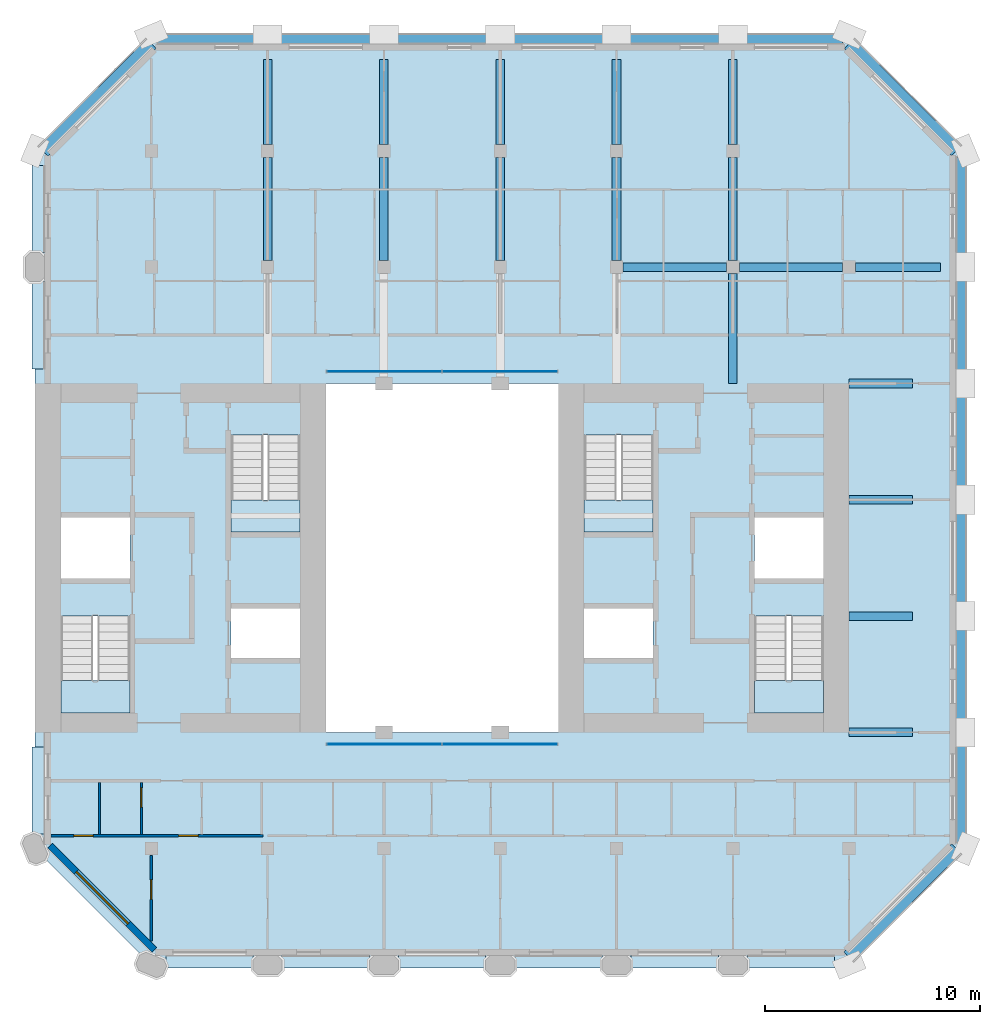
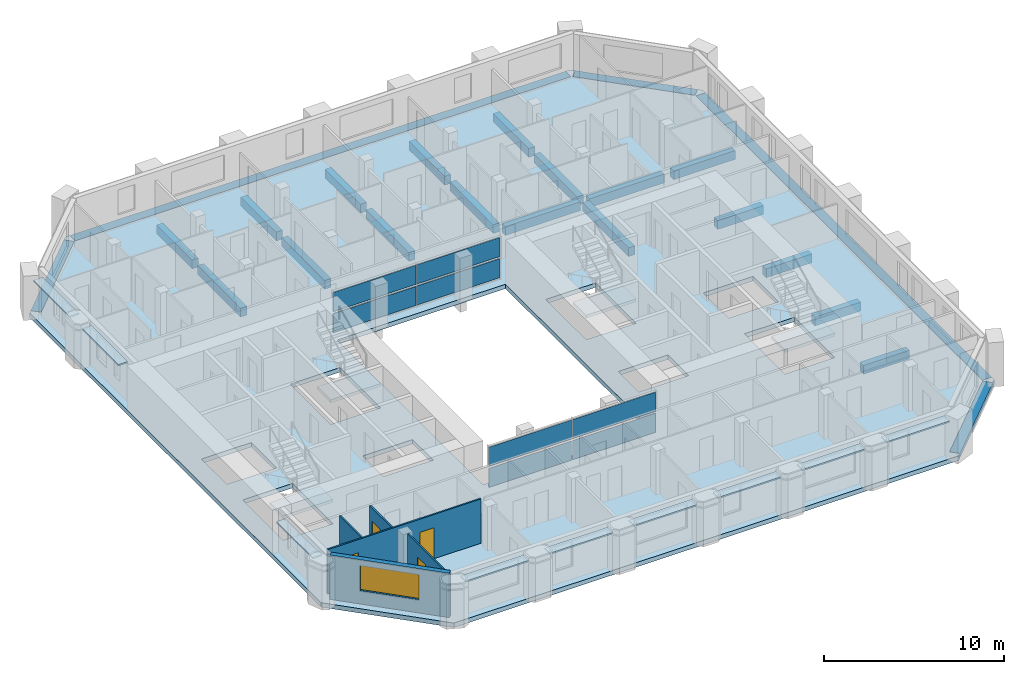
# One storey, part 3 of 13: 23 beams, 17 plates, 5 slabs, 5 walls, 4 doors, 1 window, 5 openings, 6 elements without a shape of their own.
"""IFC4 building model written with IfcOpenShell, lengths in metres."""

from ifc_helpers import new_model, si_unit, direction, frame, frame_2d, origin, origin_2d, place, context, subcontext, project, spatial, polyline, rectangle, outline, extrude, material, layer, layer_set, material_profile, profile_set, type_object, element, fill, aggregate, save


model = new_model("IFC4")

# Units and contexts
model_context = context("Model", 3, precision=1e-05, world=origin(), true_north=direction((0.0, 1.0)))
body_context = subcontext(model_context, "Body", "Model", "MODEL_VIEW")
ifc_project = project(units=[si_unit("LENGTHUNIT", "METRE"), si_unit("AREAUNIT", "SQUARE_METRE"), si_unit("VOLUMEUNIT", "CUBIC_METRE"), si_unit("PLANEANGLEUNIT", "RADIAN"), si_unit("MASSUNIT", "GRAM", prefix="KILO")], contexts=[model_context])

# Site, building, storey
site_placement = place(None, origin())
site = spatial("IfcSite", under=ifc_project, at=site_placement, CompositionType="ELEMENT")
building_placement = place(site_placement, origin())
building = spatial("IfcBuilding", under=site, at=building_placement, Name="Tabaq Tower and Sports Hall", CompositionType="ELEMENT")
storey_placement = place(building_placement, frame((0.0, 0.0, 295.0)))
storey = spatial("IfcBuildingStorey", under=building, at=storey_placement, Name="L73", CompositionType="ELEMENT", Elevation=295.0)

# Beams
ifc_material_1 = material(Name="Concrete C40/50", Category="concrete")
ifc_material_profile_1 = material_profile(ifc_material_1, rectangle(XDim=0.39990234375, YDim=0.60009765625, at=origin_2d()), Name="CB 400x600")
ifc_profile_set_1 = profile_set([ifc_material_profile_1], Name="Concrete C40/50")
beam_type_1 = type_object("IfcBeamType", Name="PT CANTILEVER BEAM CB 400x600 C40/50", PredefinedType="BEAM", material=ifc_profile_set_1)
for number, where, z_axis, x_axis, name in (
    (1, (46.14990234375, 16.199951171875, -0.60009765625), (-1.0, 0.0, 0.0), (0.0, -1.0, 0.0), "Cantilever Beam L73 E3 span 1"),
    (2, (46.14990234375, 21.60009765625, -0.60009765625), (-1.0, 0.0, 0.0), (0.0, -1.0, 0.0), "Cantilever Beam L73 E4 span 1"),
    (3, (46.14990234375, 27.0, -0.60009765625), (-1.0, 0.0, 0.0), (0.0, -1.0, 0.0), "Cantilever Beam L73 E5 span 1"),
    (4, (46.14990234375, 32.39990234375, -0.60009765625), (-1.0, 0.0, 0.0), (0.0, -1.0, 0.0), "Cantilever Beam L73 E6 span 1"),
):
    element("IfcBeam", number, at=place(storey_placement, frame(where, z_axis=z_axis, x_axis=x_axis)), inside=storey, type_object=beam_type_1, Name=name, PredefinedType="BEAM", context=body_context, shape_type="SweptSolid", body=[
        extrude(rectangle(XDim=0.39990234375, YDim=0.60009765625, at=origin_2d()), origin(), (0.0, 0.0, 1.0), 2.949951171875),
    ])
beam_1_placement = place(storey_placement, frame((47.449951171875, 37.800048828125, -0.60009765625), z_axis=(-1.0, 0.0, 0.0), x_axis=(0.0, -1.0, 0.0)))
element("IfcBeam", 5, at=beam_1_placement, inside=storey, type_object=beam_type_1, Name="Cantilever Beam L73 E7 span 1", PredefinedType="BEAM", context=body_context, shape_type="SweptSolid", body=[
    extrude(rectangle(XDim=0.39990234375, YDim=0.60009765625, at=origin_2d()), origin(), (0.0, 0.0, 1.0), 3.949951171875),
])
beam_2_placement = place(storey_placement, frame((42.89990234375, 37.800048828125, -0.60009765625), z_axis=(-1.0, 0.0, 0.0), x_axis=(0.0, -1.0, 0.0)))
element("IfcBeam", 6, at=beam_2_placement, inside=storey, type_object=beam_type_1, Name="Cantilever Beam L73 E7 span 2", PredefinedType="BEAM", context=body_context, shape_type="SweptSolid", body=[
    extrude(rectangle(XDim=0.39990234375, YDim=0.60009765625, at=origin_2d()), origin(), (0.0, 0.0, 1.0), 4.7998046875),
])
beam_3_placement = place(storey_placement, frame((37.5, 37.800048828125, -0.60009765625), z_axis=(-1.0, 0.0, 0.0), x_axis=(0.0, -1.0, 0.0)))
element("IfcBeam", 7, at=beam_3_placement, inside=storey, type_object=beam_type_1, Name="Cantilever Beam L73 E7 span 3", PredefinedType="BEAM", context=body_context, shape_type="SweptSolid", body=[
    extrude(rectangle(XDim=0.39990234375, YDim=0.60009765625, at=origin_2d()), origin(), (0.0, 0.0, 1.0), 4.800048828125),
])
beam_4_placement = place(storey_placement, frame((16.199951171875, 47.449951171875, -0.60009765625), z_axis=(0.0, -1.0, 0.0), x_axis=(1.0, 0.0, 0.0)))
element("IfcBeam", 8, at=beam_4_placement, inside=storey, type_object=beam_type_1, Name="Cantilever Beam L73 N3 span 1", PredefinedType="BEAM", context=body_context, shape_type="SweptSolid", body=[
    extrude(rectangle(XDim=0.39990234375, YDim=0.60009765625, at=origin_2d()), origin(), (0.0, 0.0, 1.0), 3.949951171875),
])
beam_5_placement = place(storey_placement, frame((16.199951171875, 42.89990234375, -0.60009765625), z_axis=(0.0, -1.0, 0.0), x_axis=(1.0, 0.0, 0.0)))
element("IfcBeam", 9, at=beam_5_placement, inside=storey, type_object=beam_type_1, Name="Cantilever Beam L73 N3 span 2", PredefinedType="BEAM", context=body_context, shape_type="SweptSolid", body=[
    extrude(rectangle(XDim=0.39990234375, YDim=0.60009765625, at=origin_2d()), origin(), (0.0, 0.0, 1.0), 4.7998046875),
])
beam_6_placement = place(storey_placement, frame((21.60009765625, 47.449951171875, -0.60009765625), z_axis=(0.0, -1.0, 0.0), x_axis=(1.0, 0.0, 0.0)))
element("IfcBeam", 10, at=beam_6_placement, inside=storey, type_object=beam_type_1, Name="Cantilever Beam L73 N4 span 1", PredefinedType="BEAM", context=body_context, shape_type="SweptSolid", body=[
    extrude(rectangle(XDim=0.39990234375, YDim=0.60009765625, at=origin_2d()), origin(), (0.0, 0.0, 1.0), 3.949951171875),
])
beam_7_placement = place(storey_placement, frame((21.60009765625, 42.89990234375, -0.60009765625), z_axis=(0.0, -1.0, 0.0), x_axis=(1.0, 0.0, 0.0)))
element("IfcBeam", 11, at=beam_7_placement, inside=storey, type_object=beam_type_1, Name="Cantilever Beam L73 N4 span 2", PredefinedType="BEAM", context=body_context, shape_type="SweptSolid", body=[
    extrude(rectangle(XDim=0.39990234375, YDim=0.60009765625, at=origin_2d()), origin(), (0.0, 0.0, 1.0), 4.7998046875),
])
beam_8_placement = place(storey_placement, frame((27.0, 47.449951171875, -0.60009765625), z_axis=(0.0, -1.0, 0.0), x_axis=(1.0, 0.0, 0.0)))
element("IfcBeam", 12, at=beam_8_placement, inside=storey, type_object=beam_type_1, Name="Cantilever Beam L73 N5 span 1", PredefinedType="BEAM", context=body_context, shape_type="SweptSolid", body=[
    extrude(rectangle(XDim=0.39990234375, YDim=0.60009765625, at=origin_2d()), origin(), (0.0, 0.0, 1.0), 3.949951171875),
])
beam_9_placement = place(storey_placement, frame((27.0, 42.89990234375, -0.60009765625), z_axis=(0.0, -1.0, 0.0), x_axis=(1.0, 0.0, 0.0)))
element("IfcBeam", 13, at=beam_9_placement, inside=storey, type_object=beam_type_1, Name="Cantilever Beam L73 N5 span 2", PredefinedType="BEAM", context=body_context, shape_type="SweptSolid", body=[
    extrude(rectangle(XDim=0.39990234375, YDim=0.60009765625, at=origin_2d()), origin(), (0.0, 0.0, 1.0), 4.7998046875),
])
beam_10_placement = place(storey_placement, frame((32.39990234375, 47.449951171875, -0.60009765625), z_axis=(0.0, -1.0, 0.0), x_axis=(1.0, 0.0, 0.0)))
element("IfcBeam", 14, at=beam_10_placement, inside=storey, type_object=beam_type_1, Name="Cantilever Beam L73 N6 span 1", PredefinedType="BEAM", context=body_context, shape_type="SweptSolid", body=[
    extrude(rectangle(XDim=0.39990234375, YDim=0.60009765625, at=origin_2d()), origin(), (0.0, 0.0, 1.0), 3.949951171875),
])
beam_11_placement = place(storey_placement, frame((32.39990234375, 42.89990234375, -0.60009765625), z_axis=(0.0, -1.0, 0.0), x_axis=(1.0, 0.0, 0.0)))
element("IfcBeam", 15, at=beam_11_placement, inside=storey, type_object=beam_type_1, Name="Cantilever Beam L73 N6 span 2", PredefinedType="BEAM", context=body_context, shape_type="SweptSolid", body=[
    extrude(rectangle(XDim=0.39990234375, YDim=0.60009765625, at=origin_2d()), origin(), (0.0, 0.0, 1.0), 4.7998046875),
])
beam_12_placement = place(storey_placement, frame((37.800048828125, 47.449951171875, -0.60009765625), z_axis=(0.0, -1.0, 0.0), x_axis=(1.0, 0.0, 0.0)))
element("IfcBeam", 16, at=beam_12_placement, inside=storey, type_object=beam_type_1, Name="Cantilever Beam L73 N7 span 1", PredefinedType="BEAM", context=body_context, shape_type="SweptSolid", body=[
    extrude(rectangle(XDim=0.39990234375, YDim=0.60009765625, at=origin_2d()), origin(), (0.0, 0.0, 1.0), 3.949951171875),
])
beam_13_placement = place(storey_placement, frame((37.800048828125, 42.89990234375, -0.60009765625), z_axis=(0.0, -1.0, 0.0), x_axis=(1.0, 0.0, 0.0)))
element("IfcBeam", 17, at=beam_13_placement, inside=storey, type_object=beam_type_1, Name="Cantilever Beam L73 N7 span 2", PredefinedType="BEAM", context=body_context, shape_type="SweptSolid", body=[
    extrude(rectangle(XDim=0.39990234375, YDim=0.60009765625, at=origin_2d()), origin(), (0.0, 0.0, 1.0), 4.7998046875),
])
beam_14_placement = place(storey_placement, frame((37.800048828125, 37.5, -0.60009765625), z_axis=(0.0, -1.0, 0.0), x_axis=(1.0, 0.0, 0.0)))
element("IfcBeam", 18, at=beam_14_placement, inside=storey, type_object=beam_type_1, Name="Cantilever Beam L73 N7 span 3", PredefinedType="BEAM", context=body_context, shape_type="SweptSolid", body=[
    extrude(rectangle(XDim=0.39990234375, YDim=0.60009765625, at=origin_2d()), origin(), (0.0, 0.0, 1.0), 5.10009765625),
])
ifc_material_2 = material(Name="Concrete C40/50", Category="concrete")
ifc_material_profile_2 = material_profile(ifc_material_2, rectangle(XDim=0.60009765625, YDim=0.300048828125, at=origin_2d()), Name="EB 600x300")
ifc_profile_set_2 = profile_set([ifc_material_profile_2], Name="Concrete C40/50")
beam_type_2 = type_object("IfcBeamType", Name="PT EDGE BEAM EB 600x300 C40/50", PredefinedType="SPANDREL", material=ifc_profile_set_2)
beam_15_placement = place(storey_placement, frame((43.16455078125, 5.788818359375, -0.14990234375), z_axis=(0.707106781187, 0.707106781187, 0.0), x_axis=(-0.707106781187, 0.707106781187, 0.0)))
element("IfcBeam", 19, at=beam_15_placement, inside=storey, type_object=beam_type_2, Name="Edge Beam L73 1", PredefinedType="SPANDREL", context=body_context, shape_type="SweptSolid", body=[
    extrude(rectangle(XDim=0.60009765625, YDim=0.300048828125, at=origin_2d()), origin(), (0.0, 0.0, 1.0), 7.08837890625),
])
beam_16_placement = place(storey_placement, frame((48.300048828125, 11.0986328125, -0.14990234375), z_axis=(0.0, 1.0, 0.0), x_axis=(-1.0, 0.0, 0.0)))
element("IfcBeam", 20, at=beam_16_placement, inside=storey, type_object=beam_type_2, Name="Edge Beam L73 2", PredefinedType="SPANDREL", context=body_context, shape_type="SweptSolid", body=[
    extrude(rectangle(XDim=0.60009765625, YDim=0.300048828125, at=origin_2d()), origin(), (0.0, 0.0, 1.0), 31.802734375),
])
beam_17_placement = place(storey_placement, frame((48.1767578125, 43.198974609375, -0.14990234375), z_axis=(-0.707106781187, 0.707106781187, 0.0), x_axis=(-0.707106781187, -0.707106781187, 0.0)))
element("IfcBeam", 21, at=beam_17_placement, inside=storey, type_object=beam_type_2, Name="Edge Beam L73 3", PredefinedType="SPANDREL", context=body_context, shape_type="SweptSolid", body=[
    extrude(rectangle(XDim=0.60009765625, YDim=0.300048828125, at=origin_2d()), origin(), (0.0, 0.0, 1.0), 7.03955078125),
])
beam_18_placement = place(storey_placement, frame((42.9013671875, 48.300048828125, -0.14990234375), z_axis=(-1.0, 0.0, 0.0), x_axis=(0.0, -1.0, 0.0)))
element("IfcBeam", 22, at=beam_18_placement, inside=storey, type_object=beam_type_2, Name="Edge Beam L73 4", PredefinedType="SPANDREL", context=body_context, shape_type="SweptSolid", body=[
    extrude(rectangle(XDim=0.60009765625, YDim=0.300048828125, at=origin_2d()), origin(), (0.0, 0.0, 1.0), 31.802734375),
])
beam_19_placement = place(storey_placement, frame((10.801025390625, 48.1767578125, -0.14990234375), z_axis=(-0.707106781187, -0.707106781187, 0.0), x_axis=(0.707106781187, -0.707106781187, 0.0)))
element("IfcBeam", 23, at=beam_19_placement, inside=storey, type_object=beam_type_2, Name="Edge Beam L73 5", PredefinedType="SPANDREL", context=body_context, shape_type="SweptSolid", body=[
    extrude(rectangle(XDim=0.60009765625, YDim=0.300048828125, at=origin_2d()), origin(), (0.0, 0.0, 1.0), 7.08837890625),
])

# Curtain wall, plates
ifc_material_3 = material(Name="Aluminium alloy 6063-T6 framed glazing", Category="aluminium")
curtain_wall_type = type_object("IfcCurtainWallType", Name="CW1 curtain wall", PredefinedType="USERDEFINED", material=ifc_material_3)
curtain_wall_1_placement = place(storey_placement, origin())
curtain_wall_1 = element("IfcCurtainWall", 24, at=curtain_wall_1_placement, inside=storey, type_object=curtain_wall_type, Name="Atrium glazing L73 S", ObjectType="ATRIUM ENCLOSURE", PredefinedType="USERDEFINED")
ifc_material_4 = material(Name="Clear low-emissivity glass 28 mm", Category="glass")
ifc_layer_1 = layer(ifc_material_4, 0.028076171875)
ifc_layer_set_1 = layer_set([ifc_layer_1], Name="CW1 glass panel 28")
plate_type_1 = type_object("IfcPlateType", Name="CW1 glass panel 28", PredefinedType="CURTAIN_PANEL", material=ifc_layer_set_1)
plate_1_placement = place(storey_placement, frame((21.614990234375, 15.64990234375, 0.139892578125), z_axis=(0.0, 0.0, 1.0), x_axis=(1.0, 0.0, 0.0)))
plate_1 = element("IfcPlate", 25, at=plate_1_placement, type_object=plate_type_1, Name="CW1 panel 1.1", PredefinedType="CURTAIN_PANEL", context=body_context, shape_type="SweptSolid", body=[
    extrude(rectangle(XDim=5.31005859375, YDim=0.028076171875, at=origin_2d()), origin(), (0.0, 0.0, 1.0), 1.2900390625),
])
plate_2_placement = place(storey_placement, frame((21.614990234375, 15.64990234375, 1.570068359375), z_axis=(0.0, 0.0, 1.0), x_axis=(1.0, 0.0, 0.0)))
plate_2 = element("IfcPlate", 26, at=plate_2_placement, type_object=plate_type_1, Name="CW1 panel 1.2", PredefinedType="CURTAIN_PANEL", context=body_context, shape_type="SweptSolid", body=[
    extrude(rectangle(XDim=5.31005859375, YDim=0.028076171875, at=origin_2d()), origin(), (0.0, 0.0, 1.0), 1.2900390625),
])
plate_3_placement = place(storey_placement, frame((26.985107421875, 15.64990234375, 0.139892578125), z_axis=(0.0, 0.0, 1.0), x_axis=(1.0, 0.0, 0.0)))
plate_3 = element("IfcPlate", 27, at=plate_3_placement, type_object=plate_type_1, Name="CW1 panel 2.1", PredefinedType="CURTAIN_PANEL", context=body_context, shape_type="SweptSolid", body=[
    extrude(rectangle(XDim=5.31005859375, YDim=0.028076171875, at=origin_2d()), origin(), (0.0, 0.0, 1.0), 1.2900390625),
])
plate_4_placement = place(storey_placement, frame((26.985107421875, 15.64990234375, 1.570068359375), z_axis=(0.0, 0.0, 1.0), x_axis=(1.0, 0.0, 0.0)))
plate_4 = element("IfcPlate", 28, at=plate_4_placement, type_object=plate_type_1, Name="CW1 panel 2.2", PredefinedType="CURTAIN_PANEL", context=body_context, shape_type="SweptSolid", body=[
    extrude(rectangle(XDim=5.31005859375, YDim=0.028076171875, at=origin_2d()), origin(), (0.0, 0.0, 1.0), 1.2900390625),
])
aggregate(curtain_wall_1, [plate_1, plate_2, plate_3, plate_4])

curtain_wall_2_placement = place(storey_placement, origin())
curtain_wall_2 = element("IfcCurtainWall", 29, at=curtain_wall_2_placement, inside=storey, type_object=curtain_wall_type, Name="Atrium glazing L73 N", ObjectType="ATRIUM ENCLOSURE", PredefinedType="USERDEFINED")
plate_5_placement = place(storey_placement, frame((21.614990234375, 32.949951171875, 0.139892578125), z_axis=(0.0, 0.0, 1.0), x_axis=(1.0, 0.0, 0.0)))
plate_5 = element("IfcPlate", 30, at=plate_5_placement, type_object=plate_type_1, Name="CW1 panel 1.1", PredefinedType="CURTAIN_PANEL", context=body_context, shape_type="SweptSolid", body=[
    extrude(rectangle(XDim=5.31005859375, YDim=0.028076171875, at=origin_2d()), origin(), (0.0, 0.0, 1.0), 1.2900390625),
])
plate_6_placement = place(storey_placement, frame((21.614990234375, 32.949951171875, 1.570068359375), z_axis=(0.0, 0.0, 1.0), x_axis=(1.0, 0.0, 0.0)))
plate_6 = element("IfcPlate", 31, at=plate_6_placement, type_object=plate_type_1, Name="CW1 panel 1.2", PredefinedType="CURTAIN_PANEL", context=body_context, shape_type="SweptSolid", body=[
    extrude(rectangle(XDim=5.31005859375, YDim=0.028076171875, at=origin_2d()), origin(), (0.0, 0.0, 1.0), 1.2900390625),
])
plate_7_placement = place(storey_placement, frame((26.985107421875, 32.949951171875, 0.139892578125), z_axis=(0.0, 0.0, 1.0), x_axis=(1.0, 0.0, 0.0)))
plate_7 = element("IfcPlate", 32, at=plate_7_placement, type_object=plate_type_1, Name="CW1 panel 2.1", PredefinedType="CURTAIN_PANEL", context=body_context, shape_type="SweptSolid", body=[
    extrude(rectangle(XDim=5.31005859375, YDim=0.028076171875, at=origin_2d()), origin(), (0.0, 0.0, 1.0), 1.2900390625),
])
plate_8_placement = place(storey_placement, frame((26.985107421875, 32.949951171875, 1.570068359375), z_axis=(0.0, 0.0, 1.0), x_axis=(1.0, 0.0, 0.0)))
plate_8 = element("IfcPlate", 33, at=plate_8_placement, type_object=plate_type_1, Name="CW1 panel 2.2", PredefinedType="CURTAIN_PANEL", context=body_context, shape_type="SweptSolid", body=[
    extrude(rectangle(XDim=5.31005859375, YDim=0.028076171875, at=origin_2d()), origin(), (0.0, 0.0, 1.0), 1.2900390625),
])
aggregate(curtain_wall_2, [plate_5, plate_6, plate_7, plate_8])

# Stair, slab
ifc_material_5 = material(Name="Concrete C40/50", Category="concrete")
stair_type = type_object("IfcStairType", Name="Exit stair", PredefinedType="HALF_TURN_STAIR", material=ifc_material_5)
stair_1_placement = place(storey_placement, origin())
stair_1 = element("IfcStair", 34, at=stair_1_placement, inside=storey, type_object=stair_type, Name="L73 Exit stair ST1", PredefinedType="HALF_TURN_STAIR")
ifc_material_6 = material(Name="Concrete C40/50", Category="concrete")
ifc_layer_2 = layer(ifc_material_6, 0.199951171875)
ifc_layer_set_2 = layer_set([ifc_layer_2], Name="Exit stair landing")
slab_type_1 = type_object("IfcSlabType", Name="Exit stair landing", PredefinedType="LANDING", material=ifc_layer_set_2)
slab_1_placement = place(storey_placement, frame((0.0, 0.0, 1.449951171875)))
slab_1 = element("IfcSlab", 35, at=slab_1_placement, type_object=slab_type_1, Name="ST1 landing 1", PredefinedType="LANDING", context=body_context, shape_type="SweptSolid", body=[
    extrude(outline(polyline([(6.60009765625, 18.60009765625), (6.60009765625, 17.10009765625), (9.800048828125, 17.10009765625), (9.800048828125, 18.60009765625), (6.60009765625, 18.60009765625)])), origin(), (0.0, 0.0, 1.0), 0.199951171875),
])
aggregate(stair_1, [slab_1])

stair_2_placement = place(storey_placement, origin())
stair_2 = element("IfcStair", 36, at=stair_2_placement, inside=storey, type_object=stair_type, Name="L73 Exit stair ST2", PredefinedType="HALF_TURN_STAIR")
slab_2_placement = place(storey_placement, frame((0.0, 0.0, 1.449951171875)))
slab_2 = element("IfcSlab", 37, at=slab_2_placement, type_object=slab_type_1, Name="ST2 landing 1", PredefinedType="LANDING", context=body_context, shape_type="SweptSolid", body=[
    extrude(outline(polyline([(14.5, 27.0), (14.5, 25.5), (17.699951171875, 25.5), (17.699951171875, 27.0), (14.5, 27.0)])), origin(), (0.0, 0.0, 1.0), 0.199951171875),
])
aggregate(stair_2, [slab_2])

stair_3_placement = place(storey_placement, origin())
stair_3 = element("IfcStair", 38, at=stair_3_placement, inside=storey, type_object=stair_type, Name="L73 Exit stair ST3", PredefinedType="HALF_TURN_STAIR")
slab_3_placement = place(storey_placement, frame((0.0, 0.0, 1.449951171875)))
slab_3 = element("IfcSlab", 39, at=slab_3_placement, type_object=slab_type_1, Name="ST3 landing 1", PredefinedType="LANDING", context=body_context, shape_type="SweptSolid", body=[
    extrude(outline(polyline([(38.800048828125, 18.60009765625), (38.800048828125, 17.10009765625), (42.0, 17.10009765625), (42.0, 18.60009765625), (38.800048828125, 18.60009765625)])), origin(), (0.0, 0.0, 1.0), 0.199951171875),
])
aggregate(stair_3, [slab_3])

stair_4_placement = place(storey_placement, origin())
stair_4 = element("IfcStair", 40, at=stair_4_placement, inside=storey, type_object=stair_type, Name="L73 Exit stair ST4", PredefinedType="HALF_TURN_STAIR")
slab_4_placement = place(storey_placement, frame((0.0, 0.0, 1.449951171875)))
slab_4 = element("IfcSlab", 41, at=slab_4_placement, type_object=slab_type_1, Name="ST4 landing 1", PredefinedType="LANDING", context=body_context, shape_type="SweptSolid", body=[
    extrude(outline(polyline([(30.89990234375, 27.0), (30.89990234375, 25.5), (34.10009765625, 25.5), (34.10009765625, 27.0), (30.89990234375, 27.0)])), origin(), (0.0, 0.0, 1.0), 0.199951171875),
])
aggregate(stair_4, [slab_4])

# Slab
ifc_material_7 = material(Name="Concrete C40/50", Category="concrete")
ifc_layer_3 = layer(ifc_material_7, 0.300048828125)
ifc_layer_set_3 = layer_set([ifc_layer_3], Name="PT FLOOR SLAB 300 C40/50")
slab_type_2 = type_object("IfcSlabType", Name="PT FLOOR SLAB 300 C40/50", PredefinedType="FLOOR", material=ifc_layer_set_3)
slab_5_placement = place(storey_placement, frame((0.0, 0.0, -0.300048828125)))
element("IfcSlab", 42, at=slab_5_placement, inside=storey, type_object=slab_type_2, Name="Floor Slab L73", PredefinedType="FLOOR", context=body_context, shape_type="SweptSolid", body=[
    extrude(outline(polyline([(5.39990234375, 43.199951171875), (5.39990234375, 10.800048828125), (10.800048828125, 5.39990234375), (43.199951171875, 5.39990234375), (43.376708984375, 5.57666015625), (42.952392578125, 6.0009765625), (47.964599609375, 11.01318359375), (48.035400390625, 10.9423828125), (48.388916015625, 10.5888671875), (48.60009765625, 10.800048828125), (48.60009765625, 11.0986328125), (48.10009765625, 11.0986328125), (48.0, 11.0986328125), (48.0, 42.9013671875), (48.10009765625, 42.9013671875), (48.60009765625, 42.9013671875), (48.60009765625, 43.199951171875), (48.388916015625, 43.4111328125), (48.035400390625, 43.0576171875), (47.964599609375, 42.98681640625), (42.98681640625, 47.964599609375), (43.0576171875, 48.035400390625), (43.4111328125, 48.388916015625), (43.199951171875, 48.60009765625), (42.9013671875, 48.60009765625), (42.9013671875, 48.10009765625), (42.9013671875, 48.0), (11.0986328125, 48.0), (11.0986328125, 48.10009765625), (11.0986328125, 48.60009765625), (10.800048828125, 48.60009765625), (10.5888671875, 48.388916015625), (10.9423828125, 48.035400390625), (11.01318359375, 47.964599609375), (6.0009765625, 42.952392578125), (5.57666015625, 43.376708984375), (5.39990234375, 43.199951171875)]), holes=[polyline([(6.60009765625, 21.599365234375), (9.800048828125, 21.599365234375), (9.800048828125, 17.10009765625), (6.60009765625, 17.10009765625), (6.60009765625, 21.599365234375)]), polyline([(38.800048828125, 21.599365234375), (42.0, 21.599365234375), (42.0, 17.10009765625), (38.800048828125, 17.10009765625), (38.800048828125, 21.599365234375)]), polyline([(14.5, 21.949951171875), (17.699951171875, 21.949951171875), (17.699951171875, 19.64990234375), (14.5, 19.64990234375), (14.5, 21.949951171875)]), polyline([(30.89990234375, 21.949951171875), (34.10009765625, 21.949951171875), (34.10009765625, 19.64990234375), (30.89990234375, 19.64990234375), (30.89990234375, 21.949951171875)]), polyline([(18.89990234375, 16.199951171875), (18.89990234375, 32.39990234375), (29.699951171875, 32.39990234375), (29.699951171875, 16.199951171875), (18.89990234375, 16.199951171875)]), polyline([(6.60009765625, 26.175048828125), (9.800048828125, 26.175048828125), (9.800048828125, 23.35009765625), (6.60009765625, 23.35009765625), (6.60009765625, 26.175048828125)]), polyline([(38.800048828125, 26.175048828125), (42.0, 26.175048828125), (42.0, 23.35009765625), (38.800048828125, 23.35009765625), (38.800048828125, 26.175048828125)]), polyline([(17.699951171875, 29.99951171875), (17.699951171875, 25.5), (14.5, 25.5), (14.5, 29.99951171875), (17.699951171875, 29.99951171875)]), polyline([(34.10009765625, 29.99951171875), (34.10009765625, 25.5), (30.89990234375, 25.5), (30.89990234375, 29.99951171875), (34.10009765625, 29.99951171875)])]), origin(), (0.0, 0.0, 1.0), 0.300048828125),
])

# Plates
ifc_material_8 = material(Name="White precast concrete C60/75 blade", Category="concrete")
ifc_layer_4 = layer(ifc_material_8, 0.10009765625)
ifc_layer_set_4 = layer_set([ifc_layer_4], Name="White precast concrete C60/75 sunshade 100")
plate_type_2 = type_object("IfcPlateType", Name="White precast concrete C60/75 sunshade 100", PredefinedType="USERDEFINED", material=ifc_layer_set_4)
for number, where, z_axis, x_axis, name in (
    (43, (13.5, 5.550048828125, 2.599853515625), (0.0, 0.0, 1.0), (1.0, 0.0, 0.0), "Sunshade L73 S"),
    (44, (18.89990234375, 5.550048828125, 2.599853515625), (0.0, 0.0, 1.0), (1.0, 0.0, 0.0), "Sunshade L73 S"),
    (45, (24.300048828125, 5.550048828125, 2.599853515625), (0.0, 0.0, 1.0), (1.0, 0.0, 0.0), "Sunshade L73 S"),
    (46, (29.699951171875, 5.550048828125, 2.599853515625), (0.0, 0.0, 1.0), (1.0, 0.0, 0.0), "Sunshade L73 S"),
    (47, (35.10009765625, 5.550048828125, 2.599853515625), (0.0, 0.0, 1.0), (1.0, 0.0, 0.0), "Sunshade L73 S"),
    (48, (40.5, 5.550048828125, 2.599853515625), (0.0, 0.0, 1.0), (1.0, 0.0, 0.0), "Sunshade L73 S"),
    (49, (5.550048828125, 40.5, 2.599853515625), (0.0, 0.0, 1.0), (0.0, -1.0, 0.0), "Sunshade L73 W"),
    (50, (5.550048828125, 35.10009765625, 2.599853515625), (0.0, 0.0, 1.0), (0.0, -1.0, 0.0), "Sunshade L73 W"),
    (51, (5.550048828125, 13.5, 2.599853515625), (0.0, 0.0, 1.0), (0.0, -1.0, 0.0), "Sunshade L73 W"),
):
    element("IfcPlate", number, at=place(storey_placement, frame(where, z_axis=z_axis, x_axis=x_axis)), inside=storey, type_object=plate_type_2, Name=name, ObjectType="SUNSHADE", PredefinedType="USERDEFINED", context=body_context, shape_type="SweptSolid", body=[
        extrude(rectangle(XDim=4.050048828125, YDim=0.60009765625, at=origin_2d()), origin(), (0.0, 0.0, 1.0), 0.10009765625),
    ])

# Wall, opening, door
ifc_material_9 = material(Name="Gypsum board on steel studs", Category="steel")
ifc_layer_5 = layer(ifc_material_9, 0.10009765625)
ifc_layer_set_5 = layer_set([ifc_layer_5], Name="Partition 100 Gypsum board")
wall_type_1 = type_object("IfcWallType", Name="Partition 100 Gypsum board", PredefinedType="PARTITIONING", material=ifc_layer_set_5)
wall_1_placement = place(storey_placement, frame((10.800048828125, 6.51220703125, 0.0), z_axis=(0.0, 0.0, 1.0), x_axis=(0.0, 1.0, 0.0)))
wall_1 = element("IfcWall", 52, at=wall_1_placement, inside=storey, type_object=wall_type_1, Name="Partition wall L73", PredefinedType="PARTITIONING", context=body_context, shape_type="SweptSolid", body=[
    extrude(rectangle(XDim=3.9677734375, YDim=0.10009765625, at=frame_2d((1.98388671875, 0.0))), origin(), (0.0, 0.0, 1.0), 3.0),
])
opening_1_placement = place(wall_1_placement, frame((1.93798828125, 0.0, 0.0)))
opening_1 = element("IfcOpeningElement", 53, at=opening_1_placement, cuts=wall_1, Name="Opening L73-047", PredefinedType="OPENING", context=body_context, shape_type="SweptSolid", body=[
    extrude(rectangle(XDim=0.89990234375, YDim=2.10009765625, at=frame_2d((0.449951171875, 1.050048828125))), frame((0.0, 0.050048828125, 0.0), z_axis=(0.0, -1.0, 0.0), x_axis=(1.0, 0.0, 0.0)), (0.0, 0.0, 1.0), 0.10009765625),
])
ifc_material_10 = material(Name="Timber leaf in steel frame", Category="steel")
door_type = type_object("IfcDoorType", Name="Internal door 900 right hand", OperationType="SINGLE_SWING_RIGHT", PredefinedType="DOOR", material=ifc_material_10)
door_1_placement = place(opening_1_placement, origin())
door_1 = element("IfcDoor", 54, at=door_1_placement, inside=storey, type_object=door_type, Name="Internal door L73-047", OperationType="SINGLE_SWING_RIGHT", OverallHeight=2.10009765625, OverallWidth=0.89990234375, PredefinedType="DOOR", context=body_context, shape_type="SweptSolid", body=[
    extrude(rectangle(XDim=0.89990234375, YDim=2.10009765625, at=frame_2d((0.449951171875, 1.050048828125))), frame((0.0, 0.02490234375, 0.0), z_axis=(0.0, -1.0, 0.0), x_axis=(1.0, 0.0, 0.0)), (0.0, 0.0, 1.0), 0.050048828125),
])
fill(opening_1, door_1)

# Wall, openings, doors
wall_2_placement = place(storey_placement, frame((15.97998046875, 11.39990234375, 0.0), z_axis=(0.0, 0.0, 1.0), x_axis=(-1.0, 0.0, 0.0)))
wall_2 = element("IfcWall", 55, at=wall_2_placement, inside=storey, type_object=wall_type_1, Name="Partition wall L73", PredefinedType="PARTITIONING", context=body_context, shape_type="SweptSolid", body=[
    extrude(rectangle(XDim=9.8291015625, YDim=0.10009765625, at=frame_2d((4.91455078125, 0.0))), origin(), (0.0, 0.0, 1.0), 3.0),
])
opening_2_placement = place(wall_2_placement, frame((7.8798828125, 0.0, 0.0)))
opening_2 = element("IfcOpeningElement", 56, at=opening_2_placement, cuts=wall_2, Name="Opening L73-018", PredefinedType="OPENING", context=body_context, shape_type="SweptSolid", body=[
    extrude(rectangle(XDim=0.89990234375, YDim=2.10009765625, at=frame_2d((0.449951171875, 1.050048828125))), frame((0.0, 0.050048828125, 0.0), z_axis=(0.0, -1.0, 0.0), x_axis=(1.0, 0.0, 0.0)), (0.0, 0.0, 1.0), 0.10009765625),
])
opening_3_placement = place(wall_2_placement, frame((3.010009765625, 0.0, 0.0)))
opening_3 = element("IfcOpeningElement", 57, at=opening_3_placement, cuts=wall_2, Name="Opening L73-057", PredefinedType="OPENING", context=body_context, shape_type="SweptSolid", body=[
    extrude(rectangle(XDim=0.89990234375, YDim=2.10009765625, at=frame_2d((0.449951171875, 1.050048828125))), frame((0.0, 0.050048828125, 0.0), z_axis=(0.0, -1.0, 0.0), x_axis=(1.0, 0.0, 0.0)), (0.0, 0.0, 1.0), 0.10009765625),
])
door_2_placement = place(opening_2_placement, origin())
door_2 = element("IfcDoor", 58, at=door_2_placement, inside=storey, type_object=door_type, Name="Internal door L73-018", OperationType="SINGLE_SWING_RIGHT", OverallHeight=2.10009765625, OverallWidth=0.89990234375, PredefinedType="DOOR", context=body_context, shape_type="SweptSolid", body=[
    extrude(rectangle(XDim=0.89990234375, YDim=2.10009765625, at=frame_2d((0.449951171875, 1.050048828125))), frame((0.0, 0.02490234375, 0.0), z_axis=(0.0, -1.0, 0.0), x_axis=(1.0, 0.0, 0.0)), (0.0, 0.0, 1.0), 0.050048828125),
])
fill(opening_2, door_2)
door_3_placement = place(opening_3_placement, origin())
door_3 = element("IfcDoor", 59, at=door_3_placement, inside=storey, type_object=door_type, Name="Internal door L73-057", OperationType="SINGLE_SWING_RIGHT", OverallHeight=2.10009765625, OverallWidth=0.89990234375, PredefinedType="DOOR", context=body_context, shape_type="SweptSolid", body=[
    extrude(rectangle(XDim=0.89990234375, YDim=2.10009765625, at=frame_2d((0.449951171875, 1.050048828125))), frame((0.0, 0.02490234375, 0.0), z_axis=(0.0, -1.0, 0.0), x_axis=(1.0, 0.0, 0.0)), (0.0, 0.0, 1.0), 0.050048828125),
])
fill(opening_3, door_3)

# Wall
wall_3_placement = place(storey_placement, frame((8.39990234375, 11.449951171875, 0.0), z_axis=(0.0, 0.0, 1.0), x_axis=(0.0, 1.0, 0.0)))
element("IfcWall", 60, at=wall_3_placement, inside=storey, type_object=wall_type_1, Name="Partition wall L73", PredefinedType="PARTITIONING", context=body_context, shape_type="SweptSolid", body=[
    extrude(rectangle(XDim=2.425048828125, YDim=0.10009765625, at=frame_2d((1.21240234375, 0.0))), origin(), (0.0, 0.0, 1.0), 3.0),
])

# Wall, opening, door
wall_4_placement = place(storey_placement, frame((10.340087890625, 11.449951171875, 0.0), z_axis=(0.0, 0.0, 1.0), x_axis=(0.0, 1.0, 0.0)))
wall_4 = element("IfcWall", 61, at=wall_4_placement, inside=storey, type_object=wall_type_1, Name="Partition wall L73", PredefinedType="PARTITIONING", context=body_context, shape_type="SweptSolid", body=[
    extrude(rectangle(XDim=2.425048828125, YDim=0.10009765625, at=frame_2d((1.21240234375, 0.0))), origin(), (0.0, 0.0, 1.0), 3.0),
])
opening_4_placement = place(wall_4_placement, frame((1.27490234375, 0.0, 0.0)))
opening_4 = element("IfcOpeningElement", 62, at=opening_4_placement, cuts=wall_4, Name="Opening L73-021", PredefinedType="OPENING", context=body_context, shape_type="SweptSolid", body=[
    extrude(rectangle(XDim=0.89990234375, YDim=2.10009765625, at=frame_2d((0.449951171875, 1.050048828125))), frame((0.0, 0.050048828125, 0.0), z_axis=(0.0, -1.0, 0.0), x_axis=(1.0, 0.0, 0.0)), (0.0, 0.0, 1.0), 0.10009765625),
])
door_4_placement = place(opening_4_placement, origin())
door_4 = element("IfcDoor", 63, at=door_4_placement, inside=storey, type_object=door_type, Name="Internal door L73-021", OperationType="SINGLE_SWING_RIGHT", OverallHeight=2.10009765625, OverallWidth=0.89990234375, PredefinedType="DOOR", context=body_context, shape_type="SweptSolid", body=[
    extrude(rectangle(XDim=0.89990234375, YDim=2.10009765625, at=frame_2d((0.449951171875, 1.050048828125))), frame((0.0, 0.02490234375, 0.0), z_axis=(0.0, -1.0, 0.0), x_axis=(1.0, 0.0, 0.0)), (0.0, 0.0, 1.0), 0.050048828125),
])
fill(opening_4, door_4)

# Wall, opening, window
ifc_material_11 = material(Name="White precast concrete C60/75", Category="concrete")
ifc_layer_6 = layer(ifc_material_11, 0.300048828125)
ifc_layer_set_6 = layer_set([ifc_layer_6], Name="White precast concrete C60/75 external wall 300")
wall_type_2 = type_object("IfcWallType", Name="White precast concrete C60/75 external wall 300", PredefinedType="SOLIDWALL", material=ifc_layer_set_6)
wall_5_placement = place(storey_placement, frame((6.098876953125, 10.949462890625, 0.0), z_axis=(0.0, 0.0, 1.0), x_axis=(0.707106781187, -0.707106781187, 0.0)))
wall_5 = element("IfcWall", 64, at=wall_5_placement, inside=storey, type_object=wall_type_2, Name="External Wall L73 SW", PredefinedType="SOLIDWALL", context=body_context, shape_type="SweptSolid", body=[
    extrude(rectangle(XDim=6.85986328125, YDim=0.300048828125, at=frame_2d((3.429931640625, 0.0))), origin(), (0.0, 0.0, 1.0), 3.0),
])
opening_5_placement = place(wall_5_placement, frame((1.729736328125, 0.0, 0.89990234375)))
opening_5 = element("IfcOpeningElement", 65, at=opening_5_placement, cuts=wall_5, Name="Opening W1A", PredefinedType="OPENING", context=body_context, shape_type="SweptSolid", body=[
    extrude(rectangle(XDim=3.39990234375, YDim=1.699951171875, at=frame_2d((1.699951171875, 0.85009765625))), frame((0.0, 0.16015625, 0.0), z_axis=(0.0, -1.0, 0.0), x_axis=(1.0, 0.0, 0.0)), (0.0, 0.0, 1.0), 0.320068359375),
])
ifc_material_12 = material(Name="Aluminium framed clear glazing", Category="aluminium")
window_type = type_object("IfcWindowType", Name="Window W1A", PartitioningType="SINGLE_PANEL", PredefinedType="WINDOW", material=ifc_material_12)
window_placement = place(opening_5_placement, origin())
window = element("IfcWindow", 66, at=window_placement, inside=storey, type_object=window_type, Name="Window W1A L73", OverallHeight=1.699951171875, OverallWidth=3.39990234375, PartitioningType="SINGLE_PANEL", PredefinedType="WINDOW", context=body_context, shape_type="SweptSolid", body=[
    extrude(rectangle(XDim=3.39990234375, YDim=1.699951171875, at=frame_2d((1.699951171875, 0.85009765625))), frame((0.0, 0.030029296875, 0.0), z_axis=(0.0, -1.0, 0.0), x_axis=(1.0, 0.0, 0.0)), (0.0, 0.0, 1.0), 0.06005859375),
])
fill(opening_5, window)

save(model, "model.ifc")
